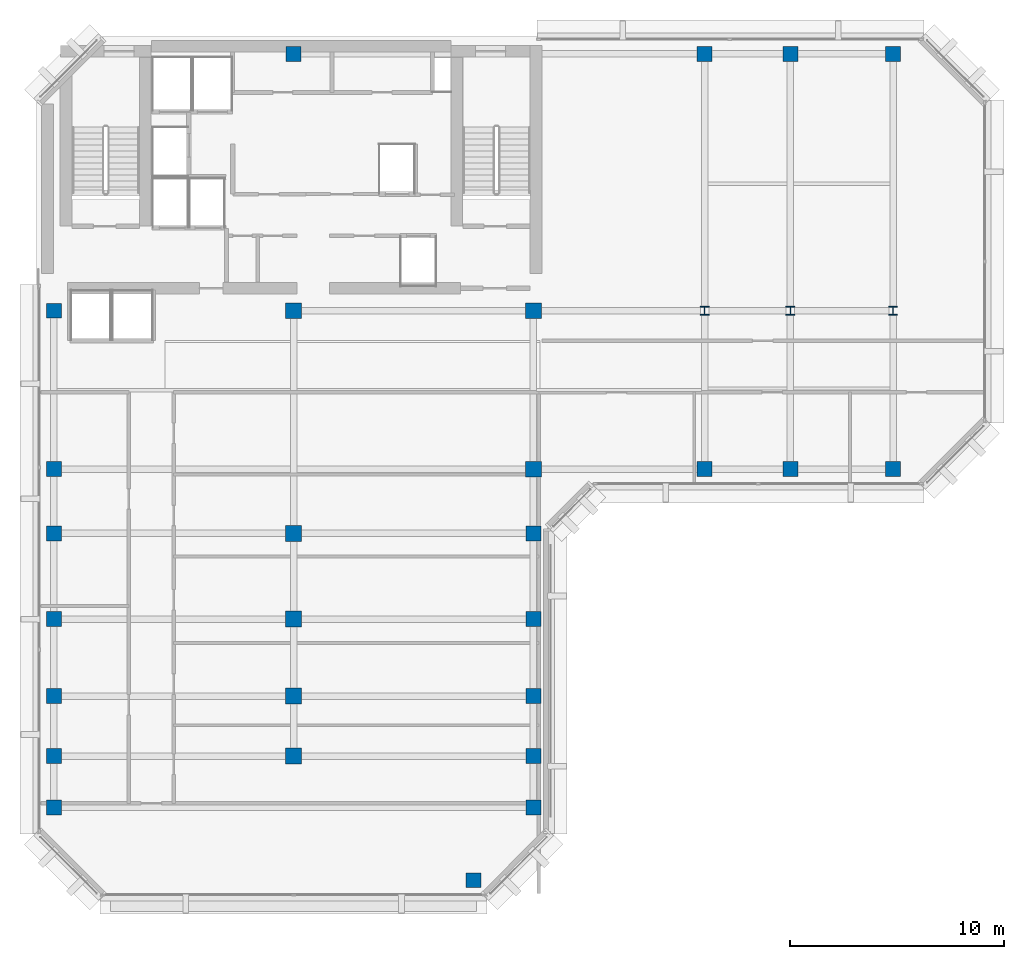
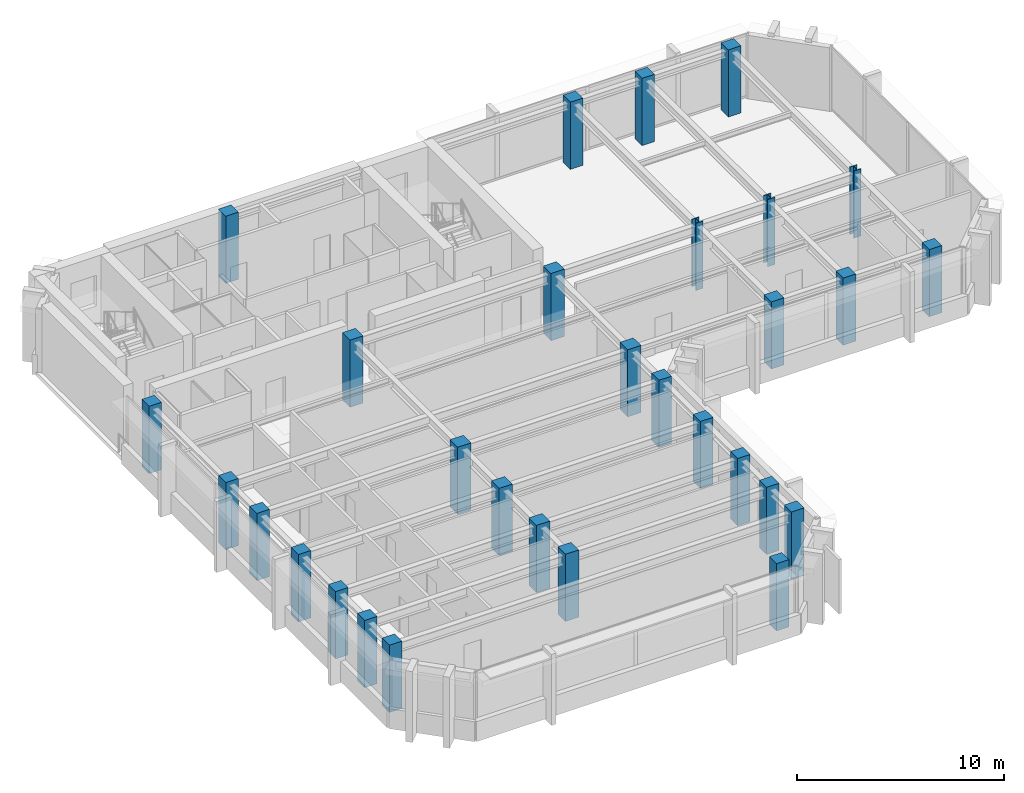
# One storey, part 1 of 11: 30 columns.
"""IFC4 building model written with IfcOpenShell, lengths in metres."""

from ifc_helpers import new_model, si_unit, direction, frame, origin, origin_2d, place, context, subcontext, project, spatial, rectangle, i_section, extrude, material, material_profile, profile_set, type_object, element, save


model = new_model("IFC4")

# Units and contexts
model_context = context("Model", 3, precision=1e-05, world=origin(), true_north=direction((0.0, 1.0)))
body_context = subcontext(model_context, "Body", "Model", "MODEL_VIEW")
ifc_project = project(units=[si_unit("LENGTHUNIT", "METRE"), si_unit("AREAUNIT", "SQUARE_METRE"), si_unit("VOLUMEUNIT", "CUBIC_METRE"), si_unit("PLANEANGLEUNIT", "RADIAN"), si_unit("MASSUNIT", "GRAM", prefix="KILO")], contexts=[model_context])

# Site, building, storey
site_placement = place(None, origin())
site = spatial("IfcSite", under=ifc_project, at=site_placement, CompositionType="ELEMENT")
building_placement = place(site_placement, origin())
building = spatial("IfcBuilding", under=site, at=building_placement, Name="Kefirva Bronze Tower", CompositionType="ELEMENT")
storey_placement = place(building_placement, frame((0.0, 0.0, 331.64990234375)))
storey = spatial("IfcBuildingStorey", under=building, at=storey_placement, Name="L81", CompositionType="ELEMENT", Elevation=331.64990234375)

# Columns
ifc_material_1 = material(Name="Concrete C50/60", Category="concrete")
ifc_material_profile_1 = material_profile(ifc_material_1, rectangle(XDim=0.699951171875, YDim=0.699951171875, at=origin_2d()), Name="RC 700x700")
ifc_profile_set_1 = profile_set([ifc_material_profile_1], Name="Concrete C50/60")
column_type_1 = type_object("IfcColumnType", Name="RC Column 700x700 Ext", PredefinedType="COLUMN", material=ifc_profile_set_1)
for number, where, z_axis, x_axis, name in (
    (1, (0.800048828125, 10.0, 0.0), (0.0, 0.0, 1.0), (1.0, 0.0, 0.0), "L81 Column C008_100"),
    (2, (0.800048828125, 12.39990234375, 0.0), (0.0, 0.0, 1.0), (1.0, 0.0, 0.0), "L81 Column C008_124"),
    (3, (0.800048828125, 15.199951171875, 0.0), (0.0, 0.0, 1.0), (1.0, 0.0, 0.0), "L81 Column C008_152"),
    (4, (0.800048828125, 18.800048828125, 0.0), (0.0, 0.0, 1.0), (1.0, 0.0, 0.0), "L81 Column C008_188"),
    (5, (0.800048828125, 22.800048828125, 0.0), (0.0, 0.0, 1.0), (1.0, 0.0, 0.0), "L81 Column C008_228"),
    (6, (0.800048828125, 25.800048828125, 0.0), (0.0, 0.0, 1.0), (1.0, 0.0, 0.0), "L81 Column C008_258"),
    (7, (0.800048828125, 33.199951171875, 0.0), (0.0, 0.0, 1.0), (1.0, 0.0, 0.0), "L81 Column C008_332"),
    (8, (12.0, 45.199951171875, 0.0), (0.0, 0.0, 1.0), (1.0, 0.0, 0.0), "L81 Column C120_452"),
    (9, (20.39990234375, 6.60009765625, 0.0), (0.0, 0.0, 1.0), (1.0, 0.0, 0.0), "L81 Column C204_066"),
    (10, (23.199951171875, 10.0, 0.0), (0.0, 0.0, 1.0), (1.0, 0.0, 0.0), "L81 Column C232_100"),
    (11, (23.199951171875, 12.39990234375, 0.0), (0.0, 0.0, 1.0), (1.0, 0.0, 0.0), "L81 Column C232_124"),
    (12, (23.199951171875, 15.199951171875, 0.0), (0.0, 0.0, 1.0), (1.0, 0.0, 0.0), "L81 Column C232_152"),
    (13, (23.199951171875, 18.800048828125, 0.0), (0.0, 0.0, 1.0), (1.0, 0.0, 0.0), "L81 Column C232_188"),
    (14, (23.199951171875, 22.800048828125, 0.0), (0.0, 0.0, 1.0), (1.0, 0.0, 0.0), "L81 Column C232_228"),
    (15, (31.199951171875, 25.800048828125, 0.0), (0.0, 0.0, 1.0), (1.0, 0.0, 0.0), "L81 Column C312_258"),
    (16, (31.199951171875, 45.199951171875, 0.0), (0.0, 0.0, 1.0), (1.0, 0.0, 0.0), "L81 Column C312_452"),
    (17, (35.199951171875, 25.800048828125, 0.0), (0.0, 0.0, 1.0), (1.0, 0.0, 0.0), "L81 Column C352_258"),
    (18, (35.199951171875, 45.199951171875, 0.0), (0.0, 0.0, 1.0), (1.0, 0.0, 0.0), "L81 Column C352_452"),
    (19, (40.0, 25.800048828125, 0.0), (0.0, 0.0, 1.0), (1.0, 0.0, 0.0), "L81 Column C400_258"),
    (20, (40.0, 45.199951171875, 0.0), (0.0, 0.0, 1.0), (1.0, 0.0, 0.0), "L81 Column C400_452"),
):
    element("IfcColumn", number, at=place(storey_placement, frame(where, z_axis=z_axis, x_axis=x_axis)), inside=storey, type_object=column_type_1, Name=name, PredefinedType="COLUMN", context=body_context, shape_type="SweptSolid", body=[
        extrude(rectangle(XDim=0.699951171875, YDim=0.699951171875, at=origin_2d()), origin(), (0.0, 0.0, 1.0), 3.960205078125),
    ])
ifc_material_profile_2 = material_profile(ifc_material_1, rectangle(XDim=0.739990234375, YDim=0.739990234375, at=origin_2d()), Name="RC 740x740")
ifc_profile_set_2 = profile_set([ifc_material_profile_2], Name="Concrete C50/60")
column_type_2 = type_object("IfcColumnType", Name="RC Column 740x740 Int", PredefinedType="COLUMN", material=ifc_profile_set_2)
for number, where, z_axis, x_axis, name in (
    (21, (12.0, 12.39990234375, 0.0), (0.0, 0.0, 1.0), (1.0, 0.0, 0.0), "L81 Column C120_124"),
    (22, (12.0, 15.199951171875, 0.0), (0.0, 0.0, 1.0), (1.0, 0.0, 0.0), "L81 Column C120_152"),
    (23, (12.0, 18.800048828125, 0.0), (0.0, 0.0, 1.0), (1.0, 0.0, 0.0), "L81 Column C120_188"),
    (24, (12.0, 22.800048828125, 0.0), (0.0, 0.0, 1.0), (1.0, 0.0, 0.0), "L81 Column C120_228"),
    (25, (12.0, 33.199951171875, 0.0), (0.0, 0.0, 1.0), (1.0, 0.0, 0.0), "L81 Column C120_332"),
    (26, (23.199951171875, 25.800048828125, 0.0), (0.0, 0.0, 1.0), (1.0, 0.0, 0.0), "L81 Column C232_258"),
    (27, (23.199951171875, 33.199951171875, 0.0), (0.0, 0.0, 1.0), (1.0, 0.0, 0.0), "L81 Column C232_332"),
):
    element("IfcColumn", number, at=place(storey_placement, frame(where, z_axis=z_axis, x_axis=x_axis)), inside=storey, type_object=column_type_2, Name=name, PredefinedType="COLUMN", context=body_context, shape_type="SweptSolid", body=[
        extrude(rectangle(XDim=0.739990234375, YDim=0.739990234375, at=origin_2d()), origin(), (0.0, 0.0, 1.0), 3.960205078125),
    ])
ifc_material_2 = material(Name="Steel S460", Category="steel")
ifc_material_profile_3 = material_profile(ifc_material_2, i_section(OverallWidth=0.406005859375, OverallDepth=0.416015625, WebThickness=0.02197265625, FlangeThickness=0.035888671875, at=origin_2d()), Name="HD 400x382")
ifc_profile_set_3 = profile_set([ifc_material_profile_3], Name="Steel S460")
column_type_3 = type_object("IfcColumnType", Name="Steel Column HD 400x382", PredefinedType="COLUMN", material=ifc_profile_set_3)
for number, where, z_axis, x_axis, name in (
    (28, (31.199951171875, 33.199951171875, 0.0), (0.0, 0.0, 1.0), (1.0, 0.0, 0.0), "L81 Column C312_332"),
    (29, (35.199951171875, 33.199951171875, 0.0), (0.0, 0.0, 1.0), (1.0, 0.0, 0.0), "L81 Column C352_332"),
    (30, (40.0, 33.199951171875, 0.0), (0.0, 0.0, 1.0), (1.0, 0.0, 0.0), "L81 Column C400_332"),
):
    element("IfcColumn", number, at=place(storey_placement, frame(where, z_axis=z_axis, x_axis=x_axis)), inside=storey, type_object=column_type_3, Name=name, PredefinedType="COLUMN", context=body_context, shape_type="SweptSolid", body=[
        extrude(i_section(OverallWidth=0.406005859375, OverallDepth=0.416015625, WebThickness=0.02197265625, FlangeThickness=0.035888671875, at=origin_2d()), origin(), (0.0, 0.0, 1.0), 3.960205078125),
    ])

save(model, "model.ifc")
